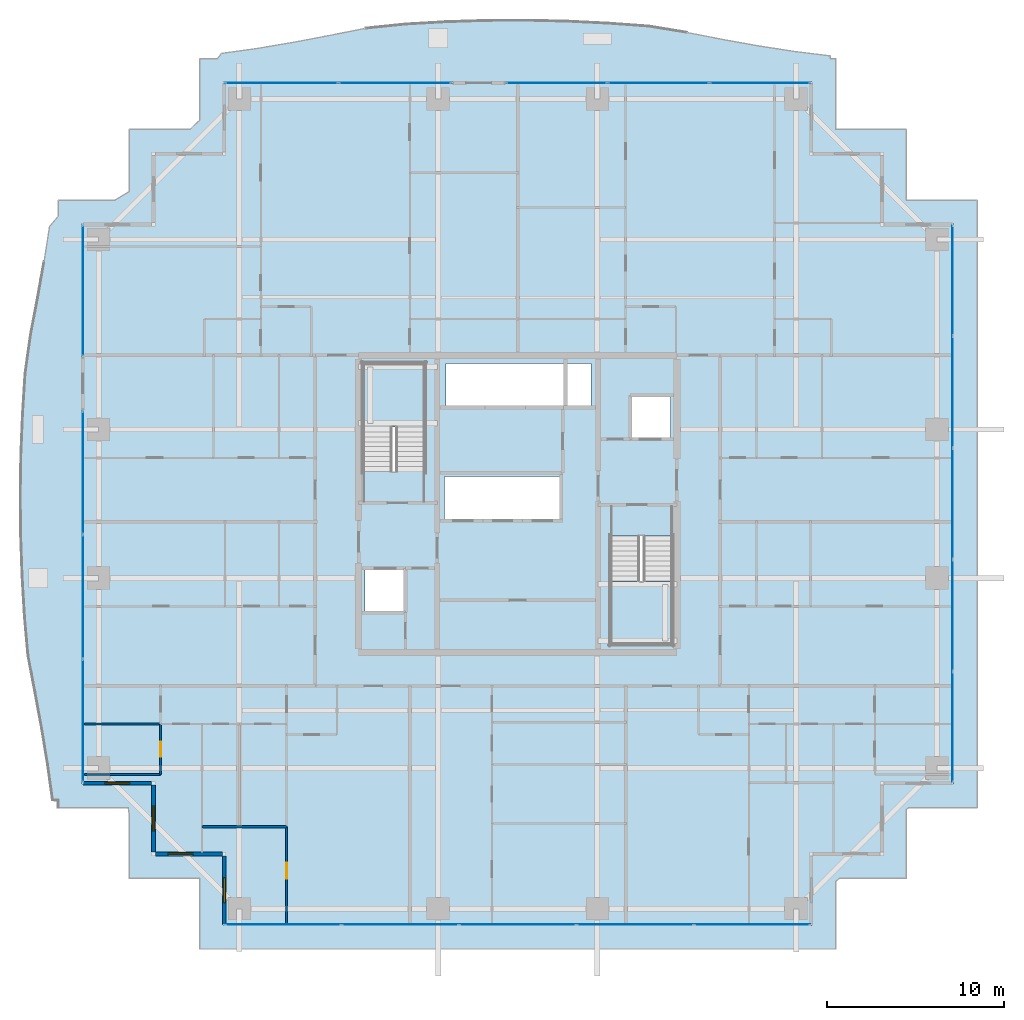
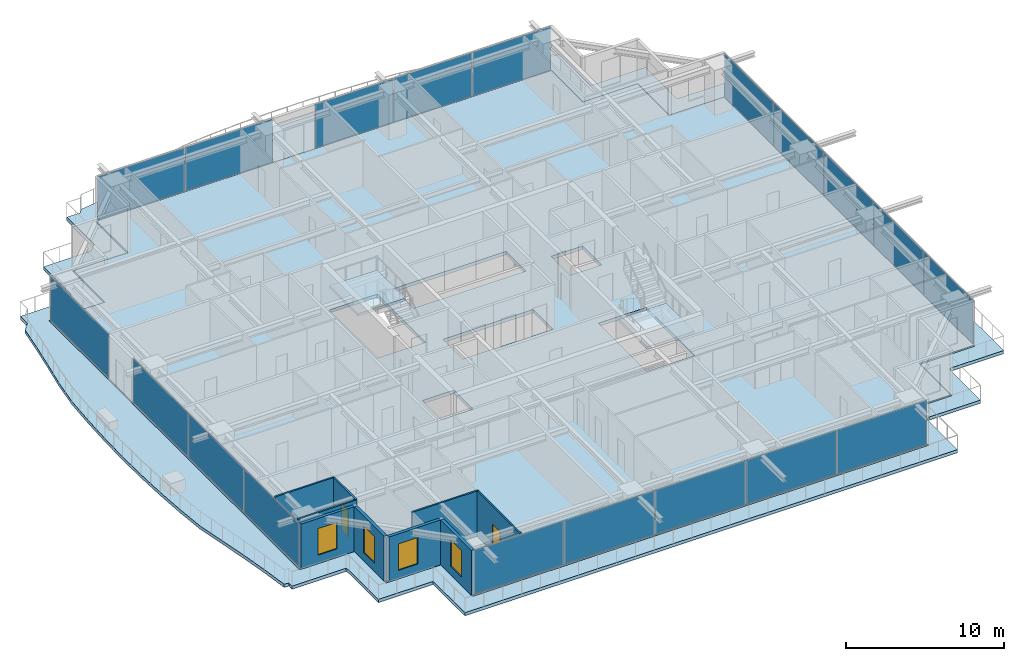
# One storey, part 25 of 37: 19 plates, 9 walls, 4 slabs, 4 windows, 2 doors, 6 openings, 8 elements without a shape of their own.
"""IFC4 building model written with IfcOpenShell, lengths in metres."""

from ifc_helpers import new_model, si_unit, direction, frame, frame_2d, origin, origin_2d, place, context, subcontext, project, spatial, polyline, rectangle, outline, extrude, source, transform, mapped, material, layer, layer_set, type_object, element, fill, aggregate, save


model = new_model("IFC4")

# Units and contexts
model_context = context("Model", 3, precision=1e-05, world=origin(), true_north=direction((0.0, 1.0)))
body_context = subcontext(model_context, "Body", "Model", "MODEL_VIEW")
ifc_project = project(units=[si_unit("LENGTHUNIT", "METRE"), si_unit("AREAUNIT", "SQUARE_METRE"), si_unit("VOLUMEUNIT", "CUBIC_METRE"), si_unit("PLANEANGLEUNIT", "RADIAN"), si_unit("MASSUNIT", "GRAM", prefix="KILO")], contexts=[model_context])

# Site, building, storey
site_placement = place(None, origin())
site = spatial("IfcSite", under=ifc_project, at=site_placement, CompositionType="ELEMENT")
building_placement = place(site_placement, origin())
building = spatial("IfcBuilding", under=site, at=building_placement, Name="Serunith Strait Residences", CompositionType="ELEMENT")
storey_placement = place(building_placement, frame((0.0, 0.0, 127.64990234375)))
storey = spatial("IfcBuildingStorey", under=building, at=storey_placement, Name="L31", CompositionType="ELEMENT", Elevation=127.64990234375)

# Slab
ifc_material_1 = material(Name="Concrete C50/60", Category="concrete")
ifc_layer_1 = layer(ifc_material_1, 0.239990234375, Name="Concrete C50/60")
ifc_layer_set_1 = layer_set([ifc_layer_1], Name="Concrete C50/60")
slab_type_1 = type_object("IfcSlabType", Name="SLB-BALC-240", PredefinedType="FLOOR", material=ifc_layer_set_1)
slab_1_placement = place(storey_placement, frame((0.0, 0.0, -0.289794921875)))
element("IfcSlab", 1, at=slab_1_placement, inside=storey, type_object=slab_type_1, Name="L31 Planted Vertical-Forest Balcony Slab", PredefinedType="FLOOR", context=body_context, shape_type="SweptSolid", body=[
    extrude(outline(polyline([(6.419921875, 8.02001953125), (6.419921875, 8.43017578125), (6.096923828125, 8.44873046875), (5.818603515625, 10.45068359375), (5.48583984375, 12.472412109375), (5.107177734375, 14.53076171875), (4.7060546875, 16.644287109375), (4.5078125, 18.869384765625), (4.376708984375, 21.136962890625), (4.29541015625, 23.42919921875), (4.272216796875, 25.733642578125), (4.30908203125, 28.03564453125), (4.403076171875, 30.3212890625), (4.544677734375, 32.5791015625), (4.8505859375, 34.75634765625), (5.24609375, 36.84521484375), (5.6083984375, 38.88623046875), (5.920654296875, 40.8974609375), (6.419921875, 41.4814453125), (6.419921875, 42.3798828125), (9.62939453125, 42.3798828125), (10.419921875, 42.8515625), (10.419921875, 46.3798828125), (13.863525390625, 46.3798828125), (14.419921875, 46.916015625), (14.419921875, 50.3798828125), (15.424072265625, 50.3798828125), (15.6328125, 50.672119140625), (17.630615234375, 50.95166015625), (19.647216796875, 51.290283203125), (21.70068359375, 51.679443359375), (23.8115234375, 52.095458984375), (26.036376953125, 52.325927734375), (28.3154296875, 52.456298828125), (30.6201171875, 52.530517578125), (32.93603515625, 52.540771484375), (35.2470703125, 52.486328125), (37.53759765625, 52.372802734375), (39.7958984375, 52.21142578125), (41.958740234375, 51.860107421875), (44.03759765625, 51.45361328125), (46.06982421875, 51.08935546875), (48.075439453125, 50.7822265625), (50.070068359375, 50.5341796875), (50.06884765625, 50.3798828125), (50.3798828125, 50.3798828125), (50.3798828125, 46.3798828125), (54.3798828125, 46.3798828125), (54.3798828125, 42.3798828125), (58.3798828125, 42.3798828125), (58.3798828125, 8.02001953125), (54.51513671875, 8.02001953125), (54.3798828125, 7.921875), (54.3798828125, 4.02001953125), (50.601806640625, 4.02001953125), (50.3798828125, 3.8408203125), (50.3798828125, 0.02001953125), (14.419921875, 0.02001953125), (14.419921875, 4.02001953125), (10.419921875, 4.02001953125), (10.419921875, 7.688232421875), (10.37109375, 8.02001953125), (6.419921875, 8.02001953125)]), holes=[polyline([(49.054931640625, 1.344970703125), (49.054931640625, 5.344970703125), (53.054931640625, 5.344970703125), (53.054931640625, 9.344970703125), (57.054931640625, 9.344970703125), (57.054931640625, 41.054931640625), (53.054931640625, 41.054931640625), (53.054931640625, 45.054931640625), (49.054931640625, 45.054931640625), (49.054931640625, 49.054931640625), (15.7451171875, 49.054931640625), (15.7451171875, 45.054931640625), (11.7451171875, 45.054931640625), (11.7451171875, 41.054931640625), (7.7451171875, 41.054931640625), (7.7451171875, 9.344970703125), (11.7451171875, 9.344970703125), (11.7451171875, 5.344970703125), (15.7451171875, 5.344970703125), (15.7451171875, 1.344970703125), (49.054931640625, 1.344970703125)])]), origin(), (0.0, 0.0, 1.0), 0.239990234375),
])

# Stair, slab
stair_type_1 = type_object("IfcStairType", Name="STR-CORE-1", PredefinedType="HALF_TURN_STAIR", material=ifc_material_1)
stair_1_placement = place(storey_placement, origin())
stair_1 = element("IfcStair", 2, at=stair_1_placement, inside=storey, type_object=stair_type_1, Name="L31 Protected Escape Stair ST-1", PredefinedType="HALF_TURN_STAIR")
ifc_layer_2 = layer(ifc_material_1, 0.199951171875, Name="Concrete C50/60")
ifc_layer_set_2 = layer_set([ifc_layer_2], Name="Concrete C50/60")
slab_type_2 = type_object("IfcSlabType", Name="SLB-LAND-200", PredefinedType="LANDING", material=ifc_layer_set_2)
slab_2_placement = place(storey_placement, frame((0.0, 0.0, 1.675048828125)))
slab_2 = element("IfcSlab", 3, at=slab_2_placement, type_object=slab_type_2, Name="ST-1 landing 1", PredefinedType="LANDING", context=body_context, shape_type="SweptSolid", body=[
    extrude(outline(polyline([(27.14990234375, 29.550048828125), (27.14990234375, 33.14990234375), (23.64990234375, 33.14990234375), (23.64990234375, 29.550048828125), (27.14990234375, 29.550048828125)])), origin(), (0.0, 0.0, 1.0), 0.199951171875),
])
aggregate(stair_1, [slab_2])

stair_type_2 = type_object("IfcStairType", Name="STR-CORE-2", PredefinedType="HALF_TURN_STAIR", material=ifc_material_1)
stair_2_placement = place(storey_placement, origin())
stair_2 = element("IfcStair", 4, at=stair_2_placement, inside=storey, type_object=stair_type_2, Name="L31 Protected Escape Stair ST-2", PredefinedType="HALF_TURN_STAIR")
slab_3_placement = place(storey_placement, frame((0.0, 0.0, 1.675048828125)))
slab_3 = element("IfcSlab", 5, at=slab_3_placement, type_object=slab_type_2, Name="ST-2 landing 1", PredefinedType="LANDING", context=body_context, shape_type="SweptSolid", body=[
    extrude(outline(polyline([(37.64990234375, 20.85009765625), (37.64990234375, 17.25), (41.14990234375, 17.25), (41.14990234375, 20.85009765625), (37.64990234375, 20.85009765625)])), origin(), (0.0, 0.0, 1.0), 0.199951171875),
])
aggregate(stair_2, [slab_3])

# Slab
ifc_material_2 = material(Name="Concrete C60/75", Category="concrete")
ifc_layer_3 = layer(ifc_material_2, 0.260009765625, Name="Concrete C60/75")
ifc_layer_set_3 = layer_set([ifc_layer_3], Name="Concrete C60/75")
slab_type_3 = type_object("IfcSlabType", Name="SLB-TWR-260-Z2", PredefinedType="FLOOR", material=ifc_layer_set_3)
slab_4_placement = place(storey_placement, frame((0.0, 0.0, -0.260009765625)))
element("IfcSlab", 6, at=slab_4_placement, inside=storey, type_object=slab_type_3, Name="L31 Structural Floor Plate", PredefinedType="FLOOR", context=body_context, shape_type="SweptSolid", body=[
    extrude(outline(polyline([(15.800048828125, 5.39990234375), (11.800048828125, 5.39990234375), (11.800048828125, 9.39990234375), (7.800048828125, 9.39990234375), (7.800048828125, 41.0), (11.800048828125, 41.0), (11.800048828125, 45.0), (15.800048828125, 45.0), (15.800048828125, 49.0), (49.0, 49.0), (49.0, 45.0), (53.0, 45.0), (53.0, 41.0), (57.0, 41.0), (57.0, 9.39990234375), (53.0, 9.39990234375), (53.0, 5.39990234375), (49.0, 5.39990234375), (49.0, 1.39990234375), (15.800048828125, 1.39990234375), (15.800048828125, 5.39990234375)]), holes=[polyline([(41.14990234375, 23.3701171875), (37.64990234375, 23.3701171875), (37.64990234375, 17.25), (41.14990234375, 17.25), (41.14990234375, 23.3701171875)]), polyline([(38.75, 31.25), (38.75, 28.85009765625), (41.050048828125, 28.85009765625), (41.050048828125, 31.25), (38.75, 31.25)]), polyline([(36.550048828125, 33.14990234375), (28.35009765625, 33.14990234375), (28.35009765625, 30.64990234375), (36.550048828125, 30.64990234375), (36.550048828125, 33.14990234375)]), polyline([(34.85009765625, 26.75), (28.25, 26.75), (28.25, 24.25), (34.85009765625, 24.25), (34.85009765625, 26.75)]), polyline([(23.64990234375, 33.14990234375), (23.64990234375, 27.030029296875), (27.14990234375, 27.030029296875), (27.14990234375, 33.14990234375), (23.64990234375, 33.14990234375)]), polyline([(26.050048828125, 21.550048828125), (23.75, 21.550048828125), (23.75, 19.14990234375), (26.050048828125, 19.14990234375), (26.050048828125, 21.550048828125)])]), origin(), (0.0, 0.0, 1.0), 0.260009765625),
])

# Curtain wall, plates
ifc_material_3 = material(Name="Pale-Champagne Anodised Aluminium", Category="aluminium")
ifc_layer_4 = layer(ifc_material_3, 0.199951171875, Name="Pale-Champagne Anodised Aluminium")
ifc_layer_set_4 = layer_set([ifc_layer_4], Name="Pale-Champagne Anodised Aluminium")
curtain_wall_type = type_object("IfcCurtainWallType", Name="CW-SYS2", PredefinedType="NOTDEFINED", material=ifc_layer_set_4)
curtain_wall_1_placement = place(storey_placement, origin())
curtain_wall_1 = element("IfcCurtainWall", 7, at=curtain_wall_1_placement, inside=storey, type_object=curtain_wall_type, Name="L31 S Unitised Fritted Curtain Wall", PredefinedType="NOTDEFINED")
ifc_material_4 = material(Name="Diagonal-Frit Operable Low-E Glazing 30mm", Category="glass")
ifc_layer_5 = layer(ifc_material_4, 0.030029296875, Name="Diagonal-Frit Operable Low-E Glazing 30mm")
ifc_layer_set_5 = layer_set([ifc_layer_5], Name="Diagonal-Frit Operable Low-E Glazing 30mm")
plate_type = type_object("IfcPlateType", Name="CW-SYS2-PNL", PredefinedType="CURTAIN_PANEL", material=ifc_layer_set_5)
shared_shape_1 = source(origin(), body_context, "Body", "SweptSolid", [
    extrude(rectangle(XDim=6.534912109375, YDim=0.030029296875, at=origin_2d()), origin(), (0.0, 0.0, 1.0), 3.35498046875),
])
plate_1_placement = place(storey_placement, frame((19.137451171875, 1.39990234375, 0.06005859375), z_axis=(0.0, 0.0, 1.0), x_axis=(1.0, 0.0, 0.0)))
plate_1 = element("IfcPlate", 8, at=plate_1_placement, type_object=plate_type, Name="CW-2 panel 1.1", PredefinedType="CURTAIN_PANEL", context=body_context, shape_type="MappedRepresentation", body=[
    mapped(shared_shape_1, transform((0.0, 0.0, 0.0), scale=1.0)),
])
plate_2_placement = place(storey_placement, frame((45.66259765625, 1.39990234375, 0.06005859375), z_axis=(0.0, 0.0, 1.0), x_axis=(1.0, 0.0, 0.0)))
plate_2 = element("IfcPlate", 9, at=plate_2_placement, type_object=plate_type, Name="CW-2 panel 5.1", PredefinedType="CURTAIN_PANEL", context=body_context, shape_type="MappedRepresentation", body=[
    mapped(shared_shape_1, transform((0.0, 0.0, 0.0), scale=1.0)),
])
shared_shape_2 = source(origin(), body_context, "Body", "SweptSolid", [
    extrude(rectangle(XDim=6.570068359375, YDim=0.030029296875, at=origin_2d()), origin(), (0.0, 0.0, 1.0), 3.35498046875),
])
plate_3_placement = place(storey_placement, frame((25.760009765625, 1.39990234375, 0.06005859375), z_axis=(0.0, 0.0, 1.0), x_axis=(1.0, 0.0, 0.0)))
plate_3 = element("IfcPlate", 10, at=plate_3_placement, type_object=plate_type, Name="CW-2 panel 2.1", PredefinedType="CURTAIN_PANEL", context=body_context, shape_type="MappedRepresentation", body=[
    mapped(shared_shape_2, transform((0.0, 0.0, 0.0), scale=1.0)),
])
plate_4_placement = place(storey_placement, frame((32.39990234375, 1.39990234375, 0.06005859375), z_axis=(0.0, 0.0, 1.0), x_axis=(1.0, 0.0, 0.0)))
plate_4 = element("IfcPlate", 11, at=plate_4_placement, type_object=plate_type, Name="CW-2 panel 3.1", PredefinedType="CURTAIN_PANEL", context=body_context, shape_type="MappedRepresentation", body=[
    mapped(shared_shape_2, transform((0.0, 0.0, 0.0), scale=1.0)),
])
plate_5_placement = place(storey_placement, frame((39.0400390625, 1.39990234375, 0.06005859375), z_axis=(0.0, 0.0, 1.0), x_axis=(1.0, 0.0, 0.0)))
plate_5 = element("IfcPlate", 12, at=plate_5_placement, type_object=plate_type, Name="CW-2 panel 4.1", PredefinedType="CURTAIN_PANEL", context=body_context, shape_type="MappedRepresentation", body=[
    mapped(shared_shape_2, transform((0.0, 0.0, 0.0), scale=1.0)),
])
aggregate(curtain_wall_1, [plate_1, plate_3, plate_4, plate_5, plate_2])

curtain_wall_2_placement = place(storey_placement, origin())
curtain_wall_2 = element("IfcCurtainWall", 13, at=curtain_wall_2_placement, inside=storey, type_object=curtain_wall_type, Name="L31 E Unitised Fritted Curtain Wall", PredefinedType="NOTDEFINED")
shared_shape_3 = source(origin(), body_context, "Body", "SweptSolid", [
    extrude(rectangle(XDim=6.215087890625, YDim=0.030029296875, at=origin_2d()), origin(), (0.0, 0.0, 1.0), 3.35498046875),
])
plate_6_placement = place(storey_placement, frame((57.0, 12.577392578125, 0.06005859375), z_axis=(0.0, 0.0, 1.0), x_axis=(0.0, 1.0, 0.0)))
plate_6 = element("IfcPlate", 14, at=plate_6_placement, type_object=plate_type, Name="CW-2 panel 1.1", PredefinedType="CURTAIN_PANEL", context=body_context, shape_type="MappedRepresentation", body=[
    mapped(shared_shape_3, transform((0.0, 0.0, 0.0), scale=1.0)),
])
plate_7_placement = place(storey_placement, frame((57.0, 37.822509765625, 0.06005859375), z_axis=(0.0, 0.0, 1.0), x_axis=(0.0, 1.0, 0.0)))
plate_7 = element("IfcPlate", 15, at=plate_7_placement, type_object=plate_type, Name="CW-2 panel 5.1", PredefinedType="CURTAIN_PANEL", context=body_context, shape_type="MappedRepresentation", body=[
    mapped(shared_shape_3, transform((0.0, 0.0, 0.0), scale=1.0)),
])
shared_shape_4 = source(origin(), body_context, "Body", "SweptSolid", [
    extrude(rectangle(XDim=6.25, YDim=0.030029296875, at=origin_2d()), origin(), (0.0, 0.0, 1.0), 3.35498046875),
])
plate_8_placement = place(storey_placement, frame((57.0, 18.8798828125, 0.06005859375), z_axis=(0.0, 0.0, 1.0), x_axis=(0.0, 1.0, 0.0)))
plate_8 = element("IfcPlate", 16, at=plate_8_placement, type_object=plate_type, Name="CW-2 panel 2.1", PredefinedType="CURTAIN_PANEL", context=body_context, shape_type="MappedRepresentation", body=[
    mapped(shared_shape_4, transform((0.0, 0.0, 0.0), scale=1.0)),
])
plate_9_placement = place(storey_placement, frame((57.0, 25.199951171875, 0.06005859375), z_axis=(0.0, 0.0, 1.0), x_axis=(0.0, 1.0, 0.0)))
plate_9 = element("IfcPlate", 17, at=plate_9_placement, type_object=plate_type, Name="CW-2 panel 3.1", PredefinedType="CURTAIN_PANEL", context=body_context, shape_type="MappedRepresentation", body=[
    mapped(shared_shape_4, transform((0.0, 0.0, 0.0), scale=1.0)),
])
plate_10_placement = place(storey_placement, frame((57.0, 31.52001953125, 0.06005859375), z_axis=(0.0, 0.0, 1.0), x_axis=(0.0, 1.0, 0.0)))
plate_10 = element("IfcPlate", 18, at=plate_10_placement, type_object=plate_type, Name="CW-2 panel 4.1", PredefinedType="CURTAIN_PANEL", context=body_context, shape_type="MappedRepresentation", body=[
    mapped(shared_shape_4, transform((0.0, 0.0, 0.0), scale=1.0)),
])
aggregate(curtain_wall_2, [plate_6, plate_8, plate_9, plate_10, plate_7])

curtain_wall_3_placement = place(storey_placement, origin())
curtain_wall_3 = element("IfcCurtainWall", 19, at=curtain_wall_3_placement, inside=storey, type_object=curtain_wall_type, Name="L31 N Unitised Fritted Curtain Wall", PredefinedType="NOTDEFINED")
shared_shape_5 = source(origin(), body_context, "Body", "SweptSolid", [
    extrude(rectangle(XDim=5.66162109375, YDim=0.030029296875, at=origin_2d()), origin(), (0.0, 0.0, 1.0), 3.35498046875),
])
plate_11_placement = place(storey_placement, frame((46.09912109375, 49.0, 0.06005859375), z_axis=(0.0, 0.0, 1.0), x_axis=(-1.0, 0.0, 0.0)))
plate_11 = element("IfcPlate", 20, at=plate_11_placement, type_object=plate_type, Name="CW-2 panel 1.1", PredefinedType="CURTAIN_PANEL", context=body_context, shape_type="MappedRepresentation", body=[
    mapped(shared_shape_5, transform((0.0, 0.0, 0.0), scale=1.0)),
])
plate_12_placement = place(storey_placement, frame((34.600830078125, 49.0, 0.06005859375), z_axis=(0.0, 0.0, 1.0), x_axis=(-1.0, 0.0, 0.0)))
plate_12 = element("IfcPlate", 21, at=plate_12_placement, type_object=plate_type, Name="CW-2 panel 3.1", PredefinedType="CURTAIN_PANEL", context=body_context, shape_type="MappedRepresentation", body=[
    mapped(shared_shape_5, transform((0.0, 0.0, 0.0), scale=1.0)),
])
shared_shape_6 = source(origin(), body_context, "Body", "SweptSolid", [
    extrude(rectangle(XDim=5.69677734375, YDim=0.030029296875, at=origin_2d()), origin(), (0.0, 0.0, 1.0), 3.35498046875),
])
plate_13_placement = place(storey_placement, frame((40.35009765625, 49.0, 0.06005859375), z_axis=(0.0, 0.0, 1.0), x_axis=(-1.0, 0.0, 0.0)))
plate_13 = element("IfcPlate", 22, at=plate_13_placement, type_object=plate_type, Name="CW-2 panel 2.1", PredefinedType="CURTAIN_PANEL", context=body_context, shape_type="MappedRepresentation", body=[
    mapped(shared_shape_6, transform((0.0, 0.0, 0.0), scale=1.0)),
])
aggregate(curtain_wall_3, [plate_11, plate_13, plate_12])

curtain_wall_4_placement = place(storey_placement, origin())
curtain_wall_4 = element("IfcCurtainWall", 23, at=curtain_wall_4_placement, inside=storey, type_object=curtain_wall_type, Name="L31 N Unitised Fritted Curtain Wall", PredefinedType="NOTDEFINED")
shared_shape_7 = source(origin(), body_context, "Body", "SweptSolid", [
    extrude(rectangle(XDim=6.344970703125, YDim=0.030029296875, at=origin_2d()), origin(), (0.0, 0.0, 1.0), 3.35498046875),
])
plate_14_placement = place(storey_placement, frame((25.45751953125, 49.0, 0.06005859375), z_axis=(0.0, 0.0, 1.0), x_axis=(-1.0, 0.0, 0.0)))
plate_14 = element("IfcPlate", 24, at=plate_14_placement, type_object=plate_type, Name="CW-2 panel 1.1", PredefinedType="CURTAIN_PANEL", context=body_context, shape_type="MappedRepresentation", body=[
    mapped(shared_shape_7, transform((0.0, 0.0, 0.0), scale=1.0)),
])
plate_15_placement = place(storey_placement, frame((19.04248046875, 49.0, 0.06005859375), z_axis=(0.0, 0.0, 1.0), x_axis=(-1.0, 0.0, 0.0)))
plate_15 = element("IfcPlate", 25, at=plate_15_placement, type_object=plate_type, Name="CW-2 panel 2.1", PredefinedType="CURTAIN_PANEL", context=body_context, shape_type="MappedRepresentation", body=[
    mapped(shared_shape_7, transform((0.0, 0.0, 0.0), scale=1.0)),
])
aggregate(curtain_wall_4, [plate_14, plate_15])

# Curtain wall, plate
curtain_wall_5_placement = place(storey_placement, origin())
curtain_wall_5 = element("IfcCurtainWall", 26, at=curtain_wall_5_placement, inside=storey, type_object=curtain_wall_type, Name="L31 W Unitised Fritted Curtain Wall", PredefinedType="NOTDEFINED")
shared_shape_8 = source(origin(), body_context, "Body", "SweptSolid", [
    extrude(rectangle(XDim=7.360107421875, YDim=0.030029296875, at=origin_2d()), origin(), (0.0, 0.0, 1.0), 3.35498046875),
])
plate_16_placement = place(storey_placement, frame((7.800048828125, 37.25, 0.06005859375), z_axis=(0.0, 0.0, 1.0), x_axis=(0.0, -1.0, 0.0)))
plate_16 = element("IfcPlate", 27, at=plate_16_placement, type_object=plate_type, Name="CW-2 panel 1.1", PredefinedType="CURTAIN_PANEL", context=body_context, shape_type="MappedRepresentation", body=[
    mapped(shared_shape_8, transform((0.0, 0.0, 0.0), scale=1.0)),
])
aggregate(curtain_wall_5, [plate_16])

# Curtain wall, plates
curtain_wall_6_placement = place(storey_placement, origin())
curtain_wall_6 = element("IfcCurtainWall", 28, at=curtain_wall_6_placement, inside=storey, type_object=curtain_wall_type, Name="L31 W Unitised Fritted Curtain Wall", PredefinedType="NOTDEFINED")
shared_shape_9 = source(origin(), body_context, "Body", "SweptSolid", [
    extrude(rectangle(XDim=6.92822265625, YDim=0.030029296875, at=origin_2d()), origin(), (0.0, 0.0, 1.0), 3.35498046875),
])
plate_17_placement = place(storey_placement, frame((7.800048828125, 26.9658203125, 0.06005859375), z_axis=(0.0, 0.0, 1.0), x_axis=(0.0, -1.0, 0.0)))
plate_17 = element("IfcPlate", 29, at=plate_17_placement, type_object=plate_type, Name="CW-2 panel 1.1", PredefinedType="CURTAIN_PANEL", context=body_context, shape_type="MappedRepresentation", body=[
    mapped(shared_shape_9, transform((0.0, 0.0, 0.0), scale=1.0)),
])
plate_18_placement = place(storey_placement, frame((7.800048828125, 12.93408203125, 0.06005859375), z_axis=(0.0, 0.0, 1.0), x_axis=(0.0, -1.0, 0.0)))
plate_18 = element("IfcPlate", 30, at=plate_18_placement, type_object=plate_type, Name="CW-2 panel 3.1", PredefinedType="CURTAIN_PANEL", context=body_context, shape_type="MappedRepresentation", body=[
    mapped(shared_shape_9, transform((0.0, 0.0, 0.0), scale=1.0)),
])
shared_shape_10 = source(origin(), body_context, "Body", "SweptSolid", [
    extrude(rectangle(XDim=6.96337890625, YDim=0.030029296875, at=origin_2d()), origin(), (0.0, 0.0, 1.0), 3.35498046875),
])
plate_19_placement = place(storey_placement, frame((7.800048828125, 19.949951171875, 0.06005859375), z_axis=(0.0, 0.0, 1.0), x_axis=(0.0, -1.0, 0.0)))
plate_19 = element("IfcPlate", 31, at=plate_19_placement, type_object=plate_type, Name="CW-2 panel 2.1", PredefinedType="CURTAIN_PANEL", context=body_context, shape_type="MappedRepresentation", body=[
    mapped(shared_shape_10, transform((0.0, 0.0, 0.0), scale=1.0)),
])
aggregate(curtain_wall_6, [plate_17, plate_19, plate_18])

# Wall, opening, window
ifc_material_5 = material(Name="Pale-Champagne Aluminium Insulated Panel", Category="aluminium")
ifc_layer_6 = layer(ifc_material_5, 0.219970703125, Name="Pale-Champagne Aluminium Insulated Panel")
ifc_layer_set_6 = layer_set([ifc_layer_6], Name="Pale-Champagne Aluminium Insulated Panel")
wall_type_1 = type_object("IfcWallType", Name="EW-ALUM-220", PredefinedType="ELEMENTEDWALL", material=ifc_layer_set_6)
wall_1_placement = place(storey_placement, frame((7.800048828125, 9.39990234375, 0.0), z_axis=(0.0, 0.0, 1.0), x_axis=(1.0, 0.0, 0.0)))
wall_1 = element("IfcWall", 32, at=wall_1_placement, inside=storey, type_object=wall_type_1, Name="L31 Girih Serrated Corner Wall 17", PredefinedType="ELEMENTEDWALL", context=body_context, shape_type="SweptSolid", body=[
    extrude(rectangle(XDim=3.889892578125, YDim=0.219970703125, at=frame_2d((1.94482421875, 0.0))), origin(), (0.0, 0.0, 1.0), 3.47509765625),
])
opening_1_placement = place(wall_1_placement, frame((1.2451171875, 0.0, 0.64990234375)))
opening_1 = element("IfcOpeningElement", 33, at=opening_1_placement, cuts=wall_1, Name="Opening W-03", PredefinedType="OPENING", context=body_context, shape_type="SweptSolid", body=[
    extrude(rectangle(XDim=1.39990234375, YDim=2.050048828125, at=frame_2d((0.699951171875, 1.02490234375))), frame((0.0, 0.1201171875, 0.0), z_axis=(0.0, -1.0, 0.0), x_axis=(1.0, 0.0, 0.0)), (0.0, 0.0, 1.0), 0.239990234375),
])
ifc_material_6 = material(Name="Ceramic-Fritted Operable Aluminium Window Glass", Category="aluminium")
window_type = type_object("IfcWindowType", Name="WIN-C3", PartitioningType="SINGLE_PANEL", PredefinedType="WINDOW", material=ifc_material_6)
shared_shape_11 = source(origin(), body_context, "Body", "SweptSolid", [
    extrude(rectangle(XDim=1.39990234375, YDim=2.050048828125, at=frame_2d((0.699951171875, 1.02490234375))), frame((0.0, 0.030029296875, 0.0), z_axis=(0.0, -1.0, 0.0), x_axis=(1.0, 0.0, 0.0)), (0.0, 0.0, 1.0), 0.06005859375),
])
window_1_placement = place(opening_1_placement, origin())
window_1 = element("IfcWindow", 34, at=window_1_placement, inside=storey, type_object=window_type, Name="L31 Corner Operable Fritted Window 17", OverallHeight=2.050048828125, OverallWidth=1.39990234375, PartitioningType="SINGLE_PANEL", PredefinedType="WINDOW", context=body_context, shape_type="MappedRepresentation", body=[
    mapped(shared_shape_11, transform((0.0, 0.0, 0.0), scale=1.0)),
])
fill(opening_1, window_1)

wall_2_placement = place(storey_placement, frame((11.800048828125, 9.2900390625, 0.0), z_axis=(0.0, 0.0, 1.0), x_axis=(0.0, -1.0, 0.0)))
wall_2 = element("IfcWall", 35, at=wall_2_placement, inside=storey, type_object=wall_type_1, Name="L31 Girih Serrated Corner Wall 18", PredefinedType="ELEMENTEDWALL", context=body_context, shape_type="SweptSolid", body=[
    extrude(rectangle(XDim=3.780029296875, YDim=0.219970703125, at=frame_2d((1.89013671875, 0.0))), origin(), (0.0, 0.0, 1.0), 3.47509765625),
])
opening_2_placement = place(wall_2_placement, frame((1.18994140625, 0.0, 0.64990234375)))
opening_2 = element("IfcOpeningElement", 36, at=opening_2_placement, cuts=wall_2, Name="Opening W-03", PredefinedType="OPENING", context=body_context, shape_type="SweptSolid", body=[
    extrude(rectangle(XDim=1.39990234375, YDim=2.050048828125, at=frame_2d((0.699951171875, 1.02490234375))), frame((0.0, 0.1201171875, 0.0), z_axis=(0.0, -1.0, 0.0), x_axis=(1.0, 0.0, 0.0)), (0.0, 0.0, 1.0), 0.239990234375),
])
window_2_placement = place(opening_2_placement, origin())
window_2 = element("IfcWindow", 37, at=window_2_placement, inside=storey, type_object=window_type, Name="L31 Corner Operable Fritted Window 18", OverallHeight=2.050048828125, OverallWidth=1.39990234375, PartitioningType="SINGLE_PANEL", PredefinedType="WINDOW", context=body_context, shape_type="MappedRepresentation", body=[
    mapped(shared_shape_11, transform((0.0, 0.0, 0.0), scale=1.0)),
])
fill(opening_2, window_2)

wall_3_placement = place(storey_placement, frame((11.909912109375, 5.39990234375, 0.0), z_axis=(0.0, 0.0, 1.0), x_axis=(1.0, 0.0, 0.0)))
wall_3 = element("IfcWall", 38, at=wall_3_placement, inside=storey, type_object=wall_type_1, Name="L31 Girih Serrated Corner Wall 19", PredefinedType="ELEMENTEDWALL", context=body_context, shape_type="SweptSolid", body=[
    extrude(rectangle(XDim=3.780029296875, YDim=0.219970703125, at=frame_2d((1.89013671875, 0.0))), origin(), (0.0, 0.0, 1.0), 3.47509765625),
])
opening_3_placement = place(wall_3_placement, frame((0.714111328125, 0.0, 0.64990234375)))
opening_3 = element("IfcOpeningElement", 39, at=opening_3_placement, cuts=wall_3, Name="Opening W-03", PredefinedType="OPENING", context=body_context, shape_type="SweptSolid", body=[
    extrude(rectangle(XDim=1.39990234375, YDim=2.050048828125, at=frame_2d((0.699951171875, 1.02490234375))), frame((0.0, 0.1201171875, 0.0), z_axis=(0.0, -1.0, 0.0), x_axis=(1.0, 0.0, 0.0)), (0.0, 0.0, 1.0), 0.239990234375),
])
window_3_placement = place(opening_3_placement, origin())
window_3 = element("IfcWindow", 40, at=window_3_placement, inside=storey, type_object=window_type, Name="L31 Corner Operable Fritted Window 19", OverallHeight=2.050048828125, OverallWidth=1.39990234375, PartitioningType="SINGLE_PANEL", PredefinedType="WINDOW", context=body_context, shape_type="MappedRepresentation", body=[
    mapped(shared_shape_11, transform((0.0, 0.0, 0.0), scale=1.0)),
])
fill(opening_3, window_3)

wall_4_placement = place(storey_placement, frame((15.800048828125, 5.2900390625, 0.0), z_axis=(0.0, 0.0, 1.0), x_axis=(0.0, -1.0, 0.0)))
wall_4 = element("IfcWall", 41, at=wall_4_placement, inside=storey, type_object=wall_type_1, Name="L31 Girih Serrated Corner Wall 20", PredefinedType="ELEMENTEDWALL", context=body_context, shape_type="SweptSolid", body=[
    extrude(rectangle(XDim=3.89013671875, YDim=0.219970703125, at=frame_2d((1.945068359375, 0.0))), origin(), (0.0, 0.0, 1.0), 3.47509765625),
])
opening_4_placement = place(wall_4_placement, frame((1.2451171875, 0.0, 0.64990234375)))
opening_4 = element("IfcOpeningElement", 42, at=opening_4_placement, cuts=wall_4, Name="Opening W-03", PredefinedType="OPENING", context=body_context, shape_type="SweptSolid", body=[
    extrude(rectangle(XDim=1.39990234375, YDim=2.050048828125, at=frame_2d((0.699951171875, 1.02490234375))), frame((0.0, 0.1201171875, 0.0), z_axis=(0.0, -1.0, 0.0), x_axis=(1.0, 0.0, 0.0)), (0.0, 0.0, 1.0), 0.239990234375),
])
window_4_placement = place(opening_4_placement, origin())
window_4 = element("IfcWindow", 43, at=window_4_placement, inside=storey, type_object=window_type, Name="L31 Corner Operable Fritted Window 20", OverallHeight=2.050048828125, OverallWidth=1.39990234375, PartitioningType="SINGLE_PANEL", PredefinedType="WINDOW", context=body_context, shape_type="MappedRepresentation", body=[
    mapped(shared_shape_11, transform((0.0, 0.0, 0.0), scale=1.0)),
])
fill(opening_4, window_4)

# Wall, opening, door
ifc_material_7 = material(Name="Lightweight steel-stud gypsum partition", Category="steel")
ifc_layer_7 = layer(ifc_material_7, 0.1201171875, Name="Lightweight steel-stud gypsum partition")
ifc_layer_set_7 = layer_set([ifc_layer_7], Name="Lightweight steel-stud gypsum partition")
wall_type_2 = type_object("IfcWallType", Name="IW-PART-120", PredefinedType="PARTITIONING", material=ifc_layer_set_7)
wall_5_placement = place(storey_placement, frame((19.330078125, 1.4951171875, 0.0), z_axis=(0.0, 0.0, 1.0), x_axis=(0.0, 1.0, 0.0)))
wall_5 = element("IfcWall", 44, at=wall_5_placement, inside=storey, type_object=wall_type_2, Name="L31 Partition Wall 032", PredefinedType="PARTITIONING", context=body_context, shape_type="SweptSolid", body=[
    extrude(rectangle(XDim=5.44287109375, YDim=0.1201171875, at=frame_2d((2.721435546875, 0.0))), origin(), (0.0, 0.0, 1.0), 3.489990234375),
])
opening_5_placement = place(wall_5_placement, frame((2.4990234375, 0.0, 0.0)))
opening_5 = element("IfcOpeningElement", 45, at=opening_5_placement, cuts=wall_5, Name="Opening D-RM900", PredefinedType="OPENING", context=body_context, shape_type="SweptSolid", body=[
    extrude(rectangle(XDim=0.89990234375, YDim=2.10009765625, at=frame_2d((0.449951171875, 1.050048828125))), frame((0.0, 0.070068359375, 0.0), z_axis=(0.0, -1.0, 0.0), x_axis=(1.0, 0.0, 0.0)), (0.0, 0.0, 1.0), 0.14013671875),
])
ifc_material_8 = material(Name="Engineered timber flush bedroom door", Category="wood")
door_type_1 = type_object("IfcDoorType", Name="ID-ROOM-900", OperationType="NOTDEFINED", PredefinedType="DOOR", material=ifc_material_8)
shared_shape_12 = source(origin(), body_context, "Body", "SweptSolid", [
    extrude(rectangle(XDim=0.89990234375, YDim=2.10009765625, at=frame_2d((0.449951171875, 1.050048828125))), frame((0.0, 0.02490234375, 0.0), z_axis=(0.0, -1.0, 0.0), x_axis=(1.0, 0.0, 0.0)), (0.0, 0.0, 1.0), 0.050048828125),
])
door_1_placement = place(opening_5_placement, origin())
door_1 = element("IfcDoor", 46, at=door_1_placement, inside=storey, type_object=door_type_1, Name="L31 Study 1 3101 Door", OperationType="SINGLE_SWING_LEFT", OverallHeight=2.10009765625, OverallWidth=0.89990234375, PredefinedType="DOOR", context=body_context, shape_type="MappedRepresentation", body=[
    mapped(shared_shape_12, transform((0.0, 0.0, 0.0), scale=1.0)),
])
fill(opening_5, door_1)

# Walls
wall_6_placement = place(storey_placement, frame((14.550048828125, 6.93798828125, 0.0), z_axis=(0.0, 0.0, 1.0), x_axis=(1.0, 0.0, 0.0)))
element("IfcWall", 47, at=wall_6_placement, inside=storey, type_object=wall_type_2, Name="L31 Partition Wall 034", PredefinedType="PARTITIONING", context=body_context, shape_type="SweptSolid", body=[
    extrude(rectangle(XDim=4.780029296875, YDim=0.1201171875, at=frame_2d((2.39013671875, 0.0))), origin(), (0.0, 0.0, 1.0), 3.489990234375),
])
wall_7_placement = place(storey_placement, frame((7.89501953125, 9.89501953125, 0.0), z_axis=(0.0, 0.0, 1.0), x_axis=(1.0, 0.0, 0.0)))
element("IfcWall", 48, at=wall_7_placement, inside=storey, type_object=wall_type_2, Name="L31 Partition Wall 040", PredefinedType="PARTITIONING", context=body_context, shape_type="SweptSolid", body=[
    extrude(rectangle(XDim=4.304931640625, YDim=0.1201171875, at=frame_2d((2.15234375, 0.0))), origin(), (0.0, 0.0, 1.0), 3.489990234375),
])
wall_8_placement = place(storey_placement, frame((7.89501953125, 12.75, 0.0), z_axis=(0.0, 0.0, 1.0), x_axis=(1.0, 0.0, 0.0)))
element("IfcWall", 49, at=wall_8_placement, inside=storey, type_object=wall_type_2, Name="L31 Partition Wall 041", PredefinedType="PARTITIONING", context=body_context, shape_type="SweptSolid", body=[
    extrude(rectangle(XDim=4.302978515625, YDim=0.1201171875, at=frame_2d((2.1513671875, 0.0))), origin(), (0.0, 0.0, 1.0), 3.489990234375),
])

# Wall, opening, door
wall_9_placement = place(storey_placement, frame((12.199951171875, 9.89501953125, 0.0), z_axis=(0.0, 0.0, 1.0), x_axis=(0.0, 1.0, 0.0)))
wall_9 = element("IfcWall", 50, at=wall_9_placement, inside=storey, type_object=wall_type_2, Name="L31 Partition Wall 042", PredefinedType="PARTITIONING", context=body_context, shape_type="SweptSolid", body=[
    extrude(rectangle(XDim=2.85498046875, YDim=0.1201171875, at=frame_2d((1.427490234375, 0.0))), origin(), (0.0, 0.0, 1.0), 3.489990234375),
])
opening_6_placement = place(wall_9_placement, frame((1.0029296875, 0.0, 0.0)))
opening_6 = element("IfcOpeningElement", 51, at=opening_6_placement, cuts=wall_9, Name="Opening D-BTH850", PredefinedType="OPENING", context=body_context, shape_type="SweptSolid", body=[
    extrude(rectangle(XDim=0.85009765625, YDim=2.10009765625, at=frame_2d((0.425048828125, 1.050048828125))), frame((0.0, 0.070068359375, 0.0), z_axis=(0.0, -1.0, 0.0), x_axis=(1.0, 0.0, 0.0)), (0.0, 0.0, 1.0), 0.14013671875),
])
ifc_material_9 = material(Name="Moisture-resistant timber bathroom door", Category="wood")
door_type_2 = type_object("IfcDoorType", Name="ID-BATH-850", OperationType="NOTDEFINED", PredefinedType="DOOR", material=ifc_material_9)
shared_shape_13 = source(origin(), body_context, "Body", "SweptSolid", [
    extrude(rectangle(XDim=0.85009765625, YDim=2.10009765625, at=frame_2d((0.425048828125, 1.050048828125))), frame((0.0, 0.02490234375, 0.0), z_axis=(0.0, -1.0, 0.0), x_axis=(1.0, 0.0, 0.0)), (0.0, 0.0, 1.0), 0.050048828125),
])
door_2_placement = place(opening_6_placement, origin())
door_2 = element("IfcDoor", 52, at=door_2_placement, inside=storey, type_object=door_type_2, Name="L31 En-suite Bathroom W 3101 Door", OperationType="SINGLE_SWING_LEFT", OverallHeight=2.10009765625, OverallWidth=0.85009765625, PredefinedType="DOOR", context=body_context, shape_type="MappedRepresentation", body=[
    mapped(shared_shape_13, transform((0.0, 0.0, 0.0), scale=1.0)),
])
fill(opening_6, door_2)

save(model, "model.ifc")
